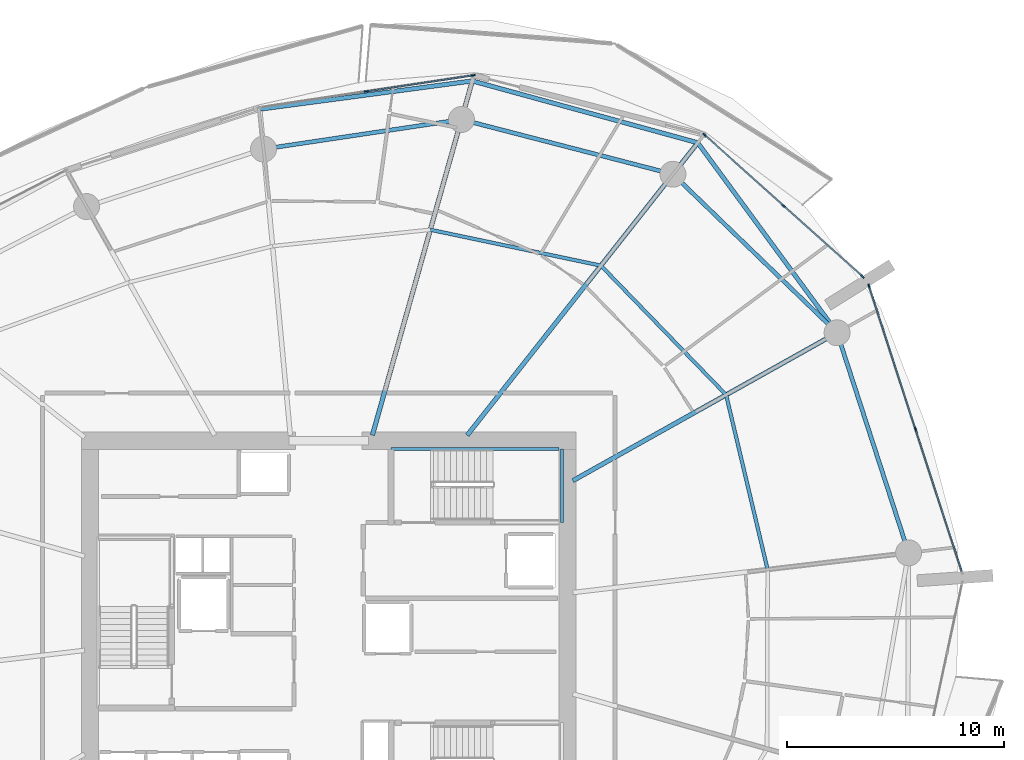
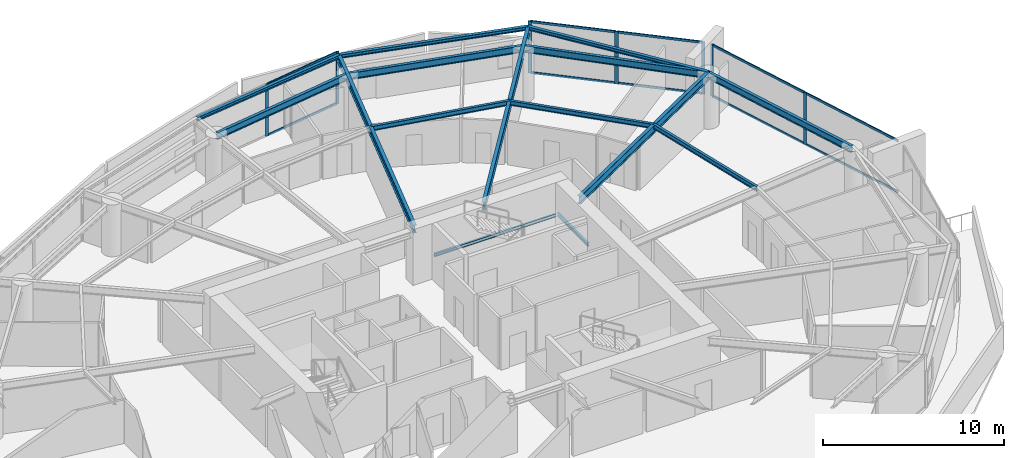
# One storey, part 9 of 22: 17 members, 15 beams, 3 elements without a shape of their own.
"""IFC4 building model written with IfcOpenShell, lengths in metres."""

import ifcopenshell
import ifcopenshell.guid

model = None  # the IFC model being written
_history = None  # IfcOwnerHistory: only IFC2X3 demands one
_inside = {}  # id of a spatial element -> (the spatial element, [elements in it])
_under = {}  # id of a project, library or spatial element -> (it, [spatial elements below it])
_declared = {}  # id of a project -> (the project, [libraries it declares])
_typed = {}  # id of a type object -> (the type object, [elements of that type])
_made_of = {}  # id of a material, layer set ... -> (it, [elements and type objects made of it])


def new_model(schema):
    """Start an empty IFC model of exactly this schema.

    Asked for "IFC4X3", IfcOpenShell would pick the latest addendum, in which some entities
    have other attributes; the version numbers below select the first issue.
    IFC2X3 requires an IfcOwnerHistory on every rooted entity: one is made here for all.
    """
    global model, _history
    if schema == "IFC4X3":
        model = ifcopenshell.file(schema_version=(4, 3, 0, 0))
    else:
        model = ifcopenshell.file(schema=schema)
    _inside.clear()
    _under.clear()
    _declared.clear()
    _typed.clear()
    _made_of.clear()
    _history = None
    if model.schema == "IFC2X3":
        org = make("IfcOrganization", Name="unknown")
        user = make(
            "IfcPersonAndOrganization",
            ThePerson=make("IfcPerson", FamilyName="unknown"),
            TheOrganization=org,
        )
        app = make(
            "IfcApplication",
            ApplicationDeveloper=org,
            Version="unknown",
            ApplicationFullName="unknown",
            ApplicationIdentifier="unknown",
        )
        _history = make(
            "IfcOwnerHistory",
            OwningUser=user,
            OwningApplication=app,
            ChangeAction="ADDED",
            CreationDate=0,
        )
    return model


def make(cls, **values):
    """One entity of the class cls with the attributes given. An attribute that is None is left unset."""
    return model.create_entity(
        cls, **{name: value for name, value in values.items() if value is not None}
    )


def rooted(cls, **values):
    """An entity with a GlobalId (a new one), such as an element, a storey or a relation."""
    return make(cls, GlobalId=ifcopenshell.guid.new(), OwnerHistory=_history, **values)


def si_unit(unit_type, name, prefix=None):
    """IfcSIUnit, for example si_unit("LENGTHUNIT", "METRE", prefix="MILLI")."""
    return make("IfcSIUnit", UnitType=unit_type, Prefix=prefix, Name=name)


def assignment(units):
    """IfcUnitAssignment: the units of a project."""
    return None if units is None else make("IfcUnitAssignment", Units=units)


def point(xyz):
    """IfcCartesianPoint."""
    return None if xyz is None else make("IfcCartesianPoint", Coordinates=xyz)


def direction(xyz):
    """IfcDirection."""
    return None if xyz is None else make("IfcDirection", DirectionRatios=xyz)


def frame(location, z_axis=None, x_axis=None):
    """IfcAxis2Placement3D, a coordinate frame: its origin and axes. An axis left out is left unset."""
    return make(
        "IfcAxis2Placement3D",
        Location=point(location),
        Axis=direction(z_axis),
        RefDirection=direction(x_axis),
    )


def frame_2d(location, x_axis=None):
    """IfcAxis2Placement2D, a coordinate frame in the plane: its origin and x axis."""
    return make(
        "IfcAxis2Placement2D", Location=point(location), RefDirection=direction(x_axis)
    )


def origin():
    """The frame at (0, 0, 0) with its axes left unset."""
    return frame((0.0, 0.0, 0.0))


def origin_2d():
    """The frame at (0, 0) in the plane with its x axis left unset."""
    return frame_2d((0.0, 0.0))


def place(relative_to, where):
    """IfcLocalPlacement: puts the frame where relative to a parent placement (None: the world)."""
    return make(
        "IfcLocalPlacement", PlacementRelTo=relative_to, RelativePlacement=where
    )


def context(
    kind, dimensions, precision=None, world=None, true_north=None, identifier=None
):
    """IfcGeometricRepresentationContext, for example the 3D "Model" context."""
    return make(
        "IfcGeometricRepresentationContext",
        ContextIdentifier=identifier,
        ContextType=kind,
        CoordinateSpaceDimension=dimensions,
        Precision=precision,
        WorldCoordinateSystem=world,
        TrueNorth=true_north,
    )


def subcontext(parent, identifier, kind, view, scale=None):
    """IfcGeometricRepresentationSubContext, for example "Body" below "Model"."""
    return make(
        "IfcGeometricRepresentationSubContext",
        ContextIdentifier=identifier,
        ContextType=kind,
        ParentContext=parent,
        TargetScale=scale,
        TargetView=view,
    )


def project(units=None, contexts=None):
    """IfcProject with its units and contexts."""
    return rooted(
        "IfcProject",
        Name="project",
        RepresentationContexts=contexts,
        UnitsInContext=assignment(units),
    )


def spatial(cls, under=None, at=None, **own):
    """A site, building, storey or space (cls), placed at a placement, below another one or the project."""
    s = rooted(cls, ObjectPlacement=at, **own)
    if under is not None:
        _under.setdefault(under.id(), (under, []))[1].append(s)
    return s


def profile(cls, at=None, kind="AREA", **sizes):
    """A parametric profile (cls). Its sizes go by their IFC names, for example OverallWidth=200.0."""
    return make(cls, ProfileType=kind, Position=at, **sizes)


def rectangle(**sizes):
    """IfcRectangleProfileDef."""
    return profile("IfcRectangleProfileDef", **sizes)


def i_section(**sizes):
    """IfcIShapeProfileDef."""
    return profile("IfcIShapeProfileDef", **sizes)


def extrude(swept, where, along, depth):
    """IfcExtrudedAreaSolid: the profile swept, set in the frame where, extruded along a direction by depth."""
    return make(
        "IfcExtrudedAreaSolid",
        SweptArea=swept,
        Position=where,
        ExtrudedDirection=direction(along),
        Depth=depth,
    )


def shape(context_of_items, identifier, shape_type, items):
    """IfcShapeRepresentation: the items that make up one representation, for example the "Body"."""
    return make(
        "IfcShapeRepresentation",
        ContextOfItems=context_of_items,
        RepresentationIdentifier=identifier,
        RepresentationType=shape_type,
        Items=items,
    )


def material(Name=None, Category=None):
    """IfcMaterial."""
    return make("IfcMaterial", Name=Name, Category=Category)


def layer(
    of_material, thickness, ventilated=None, Name=None, Category=None, Priority=None
):
    """IfcMaterialLayer: one layer of a wall or slab, of a material (None: an air gap)."""
    return make(
        "IfcMaterialLayer",
        Material=of_material,
        LayerThickness=thickness,
        IsVentilated=ventilated,
        Name=Name,
        Category=Category,
        Priority=Priority,
    )


def layer_set(layers, Name=None):
    """IfcMaterialLayerSet."""
    return make("IfcMaterialLayerSet", MaterialLayers=layers, LayerSetName=Name)


def material_profile(
    of_material, cross_section, Name=None, Category=None, Priority=None
):
    """IfcMaterialProfile: a cross section and its material."""
    return make(
        "IfcMaterialProfile",
        Name=Name,
        Material=of_material,
        Profile=cross_section,
        Priority=Priority,
        Category=Category,
    )


def profile_set(profiles, Name=None, composite=None):
    """IfcMaterialProfileSet."""
    return make(
        "IfcMaterialProfileSet",
        Name=Name,
        MaterialProfiles=profiles,
        CompositeProfile=composite,
    )


def made_of(thing, what):
    """Note that an element or type object is made of a material, layer set ...; save() writes the relation."""
    if what is not None:
        _made_of.setdefault(what.id(), (what, []))[1].append(thing)
    return thing


def type_object(cls, material=None, **own):
    """A type object (cls), such as IfcWallType, which elements share."""
    return made_of(rooted(cls, **own), material)


def element(
    cls,
    number,
    at=None,
    inside=None,
    cuts=None,
    type_object=None,
    material=None,
    context=None,
    identifier="Body",
    shape_type=None,
    held_by="IfcProductDefinitionShape",
    body=None,
    shapes=None,
    **own,
):
    """One element of the class cls, such as IfcWall. Its Tag is "e" and its number.

    at: its placement. inside: the storey or other place that contains it. cuts: it is an
    opening in that element (IfcRelVoidsElement). A single representation is given by context,
    identifier, shape_type and body (its items); several are given by shapes. held_by: the class
    of the entity that holds the representations. save() writes the other relations.
    """
    e = rooted(cls, Tag="e%d" % number, ObjectPlacement=at, **own)
    if body is not None:
        shapes = [shape(context, identifier, shape_type, body)]
    if shapes is not None:
        e.Representation = make(held_by, Representations=shapes)
    if inside is not None:
        _inside.setdefault(inside.id(), (inside, []))[1].append(e)
    if cuts is not None:
        rooted(
            "IfcRelVoidsElement", RelatingBuildingElement=cuts, RelatedOpeningElement=e
        )
    if type_object is not None:
        _typed.setdefault(type_object.id(), (type_object, []))[1].append(e)
    return made_of(e, material)


def aggregate(whole, parts):
    """IfcRelAggregates: a whole, such as a stair, and the parts it consists of."""
    return rooted("IfcRelAggregates", RelatingObject=whole, RelatedObjects=parts)


def save(model, path):
    """Write the relations noted so far, then the file.

    IfcRelAggregates (storeys below a building ...), IfcRelContainedInSpatialStructure (elements
    in a storey), IfcRelDefinesByType, IfcRelAssociatesMaterial and IfcRelDeclares: one each for
    every whole, place, type object, material and project.
    """
    for whole, parts in _under.values():
        aggregate(whole, parts)
    for where, things in _inside.values():
        rooted(
            "IfcRelContainedInSpatialStructure",
            RelatedElements=things,
            RelatingStructure=where,
        )
    for kind, things in _typed.values():
        rooted("IfcRelDefinesByType", RelatedObjects=things, RelatingType=kind)
    for what, things in _made_of.values():
        rooted("IfcRelAssociatesMaterial", RelatedObjects=things, RelatingMaterial=what)
    for by, libraries in _declared.values():
        rooted("IfcRelDeclares", RelatingContext=by, RelatedDefinitions=libraries)
    model.write(path)


model = new_model("IFC4")

# Units and contexts
model_context = context("Model", 3, precision=1e-05, world=origin(), true_north=direction((0.0, 1.0)))
body_context = subcontext(model_context, "Body", "Model", "MODEL_VIEW")
ifc_project = project(units=[si_unit("LENGTHUNIT", "METRE"), si_unit("AREAUNIT", "SQUARE_METRE"), si_unit("VOLUMEUNIT", "CUBIC_METRE"), si_unit("PLANEANGLEUNIT", "RADIAN"), si_unit("MASSUNIT", "GRAM", prefix="KILO")], contexts=[model_context])

# Site, building, storey
site_placement = place(None, origin())
site = spatial("IfcSite", under=ifc_project, at=site_placement, CompositionType="ELEMENT")
building_placement = place(site_placement, origin())
building = spatial("IfcBuilding", under=site, at=building_placement, Name="Kazma Halo Residences", CompositionType="ELEMENT")
storey_placement = place(building_placement, frame((0.0, 0.0, 93.89990234375)))
storey = spatial("IfcBuildingStorey", under=building, at=storey_placement, Name="L23", CompositionType="ELEMENT", Elevation=93.89990234375)

# Beams
ifc_material_1 = material(Name="Steel S355", Category="steel")
ifc_material_profile_1 = material_profile(ifc_material_1, i_section(OverallWidth=0.201904296875, OverallDepth=0.2470703125, WebThickness=0.00732421875, FlangeThickness=0.010986328125, FilletRadius=0.011962890625, at=origin_2d()), Name="W250x49.1")
ifc_profile_set_1 = profile_set([ifc_material_profile_1], Name="Steel S355")
beam_type_1 = type_object("IfcBeamType", Name="BM-BAL-CANT", PredefinedType="BEAM", material=ifc_profile_set_1)
beam_1_placement = place(storey_placement, frame((71.9033203125, 55.386474609375, 3.376708984375), z_axis=(-0.59144927253, 0.806342209005, 0.0), x_axis=(-0.806342209005, -0.59144927253, 0.0)))
element("IfcBeam", 1, at=beam_1_placement, inside=storey, type_object=beam_type_1, Name="L23 wave-balcony lead tie beam 01", PredefinedType="BEAM", context=body_context, shape_type="SweptSolid", body=[
    extrude(i_section(OverallWidth=0.201904296875, OverallDepth=0.2470703125, WebThickness=0.00732421875, FlangeThickness=0.010986328125, FilletRadius=0.011962890625, at=origin_2d()), origin(), (0.0, 0.0, 1.0), 10.87939453125),
])
beam_2_placement = place(storey_placement, frame((65.46875, 64.158935546875, 3.376708984375), z_axis=(-0.964396617, 0.264460139, 0.0), x_axis=(-0.264460139, -0.964396617, 0.0)))
element("IfcBeam", 2, at=beam_2_placement, inside=storey, type_object=beam_type_1, Name="L23 wave-balcony tie beam 02", PredefinedType="BEAM", context=body_context, shape_type="SweptSolid", body=[
    extrude(i_section(OverallWidth=0.201904296875, OverallDepth=0.2470703125, WebThickness=0.00732421875, FlangeThickness=0.010986328125, FilletRadius=0.011962890625, at=origin_2d()), origin(), (0.0, 0.0, 1.0), 10.79833984375),
])
beam_3_placement = place(storey_placement, frame((55.054931640625, 67.0146484375, 3.376708984375), z_axis=(-0.991294955884, -0.131659828494, 0.0), x_axis=(0.131659828494, -0.991294955884, 0.0)))
element("IfcBeam", 3, at=beam_3_placement, inside=storey, type_object=beam_type_1, Name="L23 wave-balcony tie beam 03", PredefinedType="BEAM", context=body_context, shape_type="SweptSolid", body=[
    extrude(i_section(OverallWidth=0.201904296875, OverallDepth=0.2470703125, WebThickness=0.00732421875, FlangeThickness=0.010986328125, FilletRadius=0.011962890625, at=origin_2d()), origin(), (0.0, 0.0, 1.0), 9.902099609375),
])
ifc_material_profile_2 = material_profile(ifc_material_1, i_section(OverallWidth=0.208984375, OverallDepth=0.532958984375, WebThickness=0.01025390625, FlangeThickness=0.015625, FilletRadius=0.01611328125, at=origin_2d()), Name="W530x92")
ifc_profile_set_2 = profile_set([ifc_material_profile_2], Name="Steel S355")
beam_type_2 = type_object("IfcBeamType", Name="BM-RAD-W530", PredefinedType="BEAM", material=ifc_profile_set_2)
beam_4_placement = place(storey_placement, frame((59.699951171875, 48.55224609375, 3.233642578125), z_axis=(0.87249559794, 0.488621972055, 0.0), x_axis=(-0.488621972055, 0.87249559794, 0.0)))
element("IfcBeam", 4, at=beam_4_placement, inside=storey, type_object=beam_type_2, Name="L23 radial floor beam 01", PredefinedType="BEAM", context=body_context, shape_type="SweptSolid", body=[
    extrude(i_section(OverallWidth=0.208984375, OverallDepth=0.532958984375, WebThickness=0.01025390625, FlangeThickness=0.015625, FilletRadius=0.01611328125, at=origin_2d()), origin(), (0.0, 0.0, 1.0), 13.98681640625),
])
beam_5_placement = place(storey_placement, frame((54.819091796875, 50.64990234375, 3.233642578125), z_axis=(0.619093774822, 0.785317068436, 0.0), x_axis=(-0.785317068436, 0.619093774822, 0.0)))
element("IfcBeam", 5, at=beam_5_placement, inside=storey, type_object=beam_type_2, Name="L23 radial floor beam 02", PredefinedType="BEAM", context=body_context, shape_type="SweptSolid", body=[
    extrude(i_section(OverallWidth=0.208984375, OverallDepth=0.532958984375, WebThickness=0.01025390625, FlangeThickness=0.015625, FilletRadius=0.01611328125, at=origin_2d()), origin(), (0.0, 0.0, 1.0), 17.201904296875),
])
beam_6_placement = place(storey_placement, frame((50.439697265625, 50.64990234375, 3.233642578125), z_axis=(0.271434928076, 0.962456793742, 0.0), x_axis=(-0.962456793742, 0.271434928076, 0.0)))
element("IfcBeam", 6, at=beam_6_placement, inside=storey, type_object=beam_type_2, Name="L23 radial floor beam 03", PredefinedType="BEAM", context=body_context, shape_type="SweptSolid", body=[
    extrude(i_section(OverallWidth=0.208984375, OverallDepth=0.532958984375, WebThickness=0.01025390625, FlangeThickness=0.015625, FilletRadius=0.01611328125, at=origin_2d()), origin(), (0.0, 0.0, 1.0), 17.003173828125),
])
ifc_material_profile_3 = material_profile(ifc_material_1, i_section(OverallWidth=0.1650390625, OverallDepth=0.31005859375, WebThickness=0.005859375, FlangeThickness=0.009765625, FilletRadius=0.011962890625, at=origin_2d()), Name="W310x38.7")
ifc_profile_set_3 = profile_set([ifc_material_profile_3], Name="Steel S355")
beam_type_3 = type_object("IfcBeamType", Name="BM-SEC-W310B", PredefinedType="JOIST", material=ifc_profile_set_3)
beam_7_placement = place(storey_placement, frame((66.77783203125, 52.51611328125, 3.34521484375), z_axis=(-0.695765378161, 0.718269126827, 0.0), x_axis=(-0.718269126827, -0.695765378161, 0.0)))
element("IfcBeam", 7, at=beam_7_placement, inside=storey, type_object=beam_type_3, Name="L23 circumferential floor joist 01", PredefinedType="JOIST", context=body_context, shape_type="SweptSolid", body=[
    extrude(i_section(OverallWidth=0.1650390625, OverallDepth=0.31005859375, WebThickness=0.005859375, FlangeThickness=0.009765625, FilletRadius=0.011962890625, at=origin_2d()), origin(), (0.0, 0.0, 1.0), 8.310302734375),
])
beam_8_placement = place(storey_placement, frame((60.995849609375, 58.485107421875, 3.34521484375), z_axis=(-0.978607976751, 0.205733876255, 0.0), x_axis=(-0.205733876255, -0.978607976751, 0.0)))
element("IfcBeam", 8, at=beam_8_placement, inside=storey, type_object=beam_type_3, Name="L23 circumferential floor joist 02", PredefinedType="JOIST", context=body_context, shape_type="SweptSolid", body=[
    extrude(i_section(OverallWidth=0.1650390625, OverallDepth=0.31005859375, WebThickness=0.005859375, FlangeThickness=0.009765625, FilletRadius=0.011962890625, at=origin_2d()), origin(), (0.0, 0.0, 1.0), 8.051513671875),
])
beam_9_placement = place(storey_placement, frame((68.69384765625, 44.44921875, 3.34521484375), z_axis=(-0.231087064161, 0.972933075179, 0.0), x_axis=(-0.972933075179, -0.231087064161, 0.0)))
element("IfcBeam", 9, at=beam_9_placement, inside=storey, type_object=beam_type_3, Name="L23 circumferential floor joist 16", PredefinedType="JOIST", context=body_context, shape_type="SweptSolid", body=[
    extrude(i_section(OverallWidth=0.1650390625, OverallDepth=0.31005859375, WebThickness=0.005859375, FlangeThickness=0.009765625, FilletRadius=0.011962890625, at=origin_2d()), origin(), (0.0, 0.0, 1.0), 8.291259765625),
])
ifc_material_profile_4 = material_profile(ifc_material_1, i_section(OverallWidth=0.18994140625, OverallDepth=0.45703125, WebThickness=0.009033203125, FlangeThickness=0.014404296875, FilletRadius=0.01611328125, at=origin_2d()), Name="W460x74")
ifc_profile_set_4 = profile_set([ifc_material_profile_4], Name="Steel S355")
beam_type_4 = type_object("IfcBeamType", Name="BM-SPN-W460", PredefinedType="BEAM", material=ifc_profile_set_4)
beam_10_placement = place(storey_placement, frame((71.9033203125, 55.386474609375, 3.271484375), z_axis=(-0.719336783114, 0.694661494873, 0.0), x_axis=(-0.694661494873, -0.719336783114, 0.0)))
element("IfcBeam", 10, at=beam_10_placement, inside=storey, type_object=beam_type_4, Name="L23 perimeter ring beam 01", PredefinedType="BEAM", context=body_context, shape_type="SweptSolid", body=[
    extrude(i_section(OverallWidth=0.18994140625, OverallDepth=0.45703125, WebThickness=0.009033203125, FlangeThickness=0.014404296875, FilletRadius=0.01611328125, at=origin_2d()), origin(), (0.0, 0.0, 1.0), 10.537353515625),
])
beam_11_placement = place(storey_placement, frame((64.323486328125, 62.706298828125, 3.271484375), z_axis=(-0.968124968683, 0.250467652626, 0.0), x_axis=(-0.250467652626, -0.968124968683, 0.0)))
element("IfcBeam", 11, at=beam_11_placement, inside=storey, type_object=beam_type_4, Name="L23 perimeter ring beam 02", PredefinedType="BEAM", context=body_context, shape_type="SweptSolid", body=[
    extrude(i_section(OverallWidth=0.18994140625, OverallDepth=0.45703125, WebThickness=0.009033203125, FlangeThickness=0.014404296875, FilletRadius=0.01611328125, at=origin_2d()), origin(), (0.0, 0.0, 1.0), 10.092529296875),
])
beam_12_placement = place(storey_placement, frame((54.552734375, 65.234130859375, 3.271484375), z_axis=(-0.989034176303, -0.147686824414, 0.0), x_axis=(0.147686824414, -0.989034176303, 0.0)))
element("IfcBeam", 12, at=beam_12_placement, inside=storey, type_object=beam_type_4, Name="L23 perimeter ring beam 03", PredefinedType="BEAM", context=body_context, shape_type="SweptSolid", body=[
    extrude(i_section(OverallWidth=0.18994140625, OverallDepth=0.45703125, WebThickness=0.009033203125, FlangeThickness=0.014404296875, FilletRadius=0.01611328125, at=origin_2d()), origin(), (0.0, 0.0, 1.0), 9.242431640625),
])
beam_13_placement = place(storey_placement, frame((75.20654296875, 45.22021484375, 3.271484375), z_axis=(-0.309017385422, 0.951056389236, 0.0), x_axis=(-0.951056389236, -0.309017385422, 0.0)))
element("IfcBeam", 13, at=beam_13_placement, inside=storey, type_object=beam_type_4, Name="L23 perimeter ring beam 16", PredefinedType="BEAM", context=body_context, shape_type="SweptSolid", body=[
    extrude(i_section(OverallWidth=0.18994140625, OverallDepth=0.45703125, WebThickness=0.009033203125, FlangeThickness=0.014404296875, FilletRadius=0.01611328125, at=origin_2d()), origin(), (0.0, 0.0, 1.0), 10.689453125),
])
ifc_material_profile_5 = material_profile(ifc_material_1, i_section(OverallWidth=0.133056640625, OverallDepth=0.20703125, WebThickness=0.005859375, FlangeThickness=0.00830078125, FilletRadius=0.010009765625, at=origin_2d()), Name="W200x26.6")
ifc_profile_set_5 = profile_set([ifc_material_profile_5], Name="Steel S355")
beam_type_5 = type_object("IfcBeamType", Name="BM-TRIM-W200", PredefinedType="BEAM", material=ifc_profile_set_5)
beam_14_placement = place(storey_placement, frame((51.31005859375, 50.02001953125, 1.570068359375), z_axis=(1.0, 0.0, 0.0), x_axis=(0.0, 1.0, 0.0)))
element("IfcBeam", 14, at=beam_14_placement, inside=storey, type_object=beam_type_5, Name="L23 ST-02 landing north wall ledger", PredefinedType="BEAM", context=body_context, shape_type="SweptSolid", body=[
    extrude(i_section(OverallWidth=0.133056640625, OverallDepth=0.20703125, WebThickness=0.005859375, FlangeThickness=0.00830078125, FilletRadius=0.010009765625, at=origin_2d()), origin(), (0.0, 0.0, 1.0), 7.760009765625),
])
beam_15_placement = place(storey_placement, frame((59.18994140625, 46.6201171875, 1.570068359375), z_axis=(0.0, 1.0, 0.0), x_axis=(-1.0, 0.0, 0.0)))
element("IfcBeam", 15, at=beam_15_placement, inside=storey, type_object=beam_type_5, Name="L23 ST-02 landing end wall ledger", PredefinedType="BEAM", context=body_context, shape_type="SweptSolid", body=[
    extrude(i_section(OverallWidth=0.133056640625, OverallDepth=0.20703125, WebThickness=0.005859375, FlangeThickness=0.00830078125, FilletRadius=0.010009765625, at=origin_2d()), origin(), (0.0, 0.0, 1.0), 3.39990234375),
])

# Curtain wall, members
ifc_material_2 = material(Name="Aluminium AW-6063 T6 and Triple-Silver Low-E Glass", Category="aluminium")
ifc_layer = layer(ifc_material_2, 0.199951171875)
ifc_layer_set = layer_set([ifc_layer], Name="Aluminium AW-6063 T6 and Triple-Silver Low-E Glass")
curtain_wall_type = type_object("IfcCurtainWallType", Name="CW-SYS-3", PredefinedType="NOTDEFINED", material=ifc_layer_set)
curtain_wall_1_placement = place(storey_placement, origin())
curtain_wall_1 = element("IfcCurtainWall", 16, at=curtain_wall_1_placement, inside=storey, type_object=curtain_wall_type, Name="L23 unitised curtain wall B01", PredefinedType="NOTDEFINED")
ifc_material_3 = material(Name="Aluminium AW-6063 T6", Category="aluminium")
ifc_material_profile_6 = material_profile(ifc_material_3, rectangle(XDim=0.070068359375, YDim=0.199951171875, at=origin_2d()), Name="CWM-70x200")
ifc_profile_set_6 = profile_set([ifc_material_profile_6], Name="Aluminium AW-6063 T6")
member_type_1 = type_object("IfcMemberType", Name="CW-SYS-3-MUL", PredefinedType="MULLION", material=ifc_profile_set_6)
member_1_placement = place(storey_placement, frame((73.071044921875, 57.981201171875, 0.0), z_axis=(0.0, 0.0, 1.0), x_axis=(-0.667794957375, -0.744345279359, 0.0)))
member_1 = element("IfcMember", 17, at=member_1_placement, type_object=member_type_1, Name="CWS-3 mullion 1", PredefinedType="MULLION", context=body_context, shape_type="SweptSolid", body=[
    extrude(rectangle(XDim=0.070068359375, YDim=0.199951171875, at=origin_2d()), origin(), (0.0, 0.0, 1.0), 3.5),
])
member_2_placement = place(storey_placement, frame((69.431396484375, 61.24658203125, 0.0), z_axis=(0.0, 0.0, 1.0), x_axis=(-0.667794957375, -0.744345279359, 0.0)))
member_2 = element("IfcMember", 18, at=member_2_placement, type_object=member_type_1, Name="CWS-3 mullion 2", PredefinedType="MULLION", context=body_context, shape_type="SweptSolid", body=[
    extrude(rectangle(XDim=0.070068359375, YDim=0.199951171875, at=origin_2d()), origin(), (0.0, 0.0, 1.0), 3.5),
])
member_3_placement = place(storey_placement, frame((65.791748046875, 64.51220703125, 0.0), z_axis=(0.0, 0.0, 1.0), x_axis=(-0.667794957375, -0.744345279359, 0.0)))
member_3 = element("IfcMember", 19, at=member_3_placement, type_object=member_type_1, Name="CWS-3 mullion 3", PredefinedType="MULLION", context=body_context, shape_type="SweptSolid", body=[
    extrude(rectangle(XDim=0.070068359375, YDim=0.199951171875, at=origin_2d()), origin(), (0.0, 0.0, 1.0), 3.5),
])

curtain_wall_2_placement = place(storey_placement, origin())
curtain_wall_2 = element("IfcCurtainWall", 20, at=curtain_wall_2_placement, inside=storey, type_object=curtain_wall_type, Name="L23 unitised curtain wall B03", PredefinedType="NOTDEFINED")
member_4_placement = place(storey_placement, frame((55.09423828125, 67.271728515625, 0.0), z_axis=(0.0, 0.0, 1.0), x_axis=(0.148717330409, -0.988879747814, 0.0)))
member_4 = element("IfcMember", 21, at=member_4_placement, type_object=member_type_1, Name="CWS-3 mullion 1", PredefinedType="MULLION", context=body_context, shape_type="SweptSolid", body=[
    extrude(rectangle(XDim=0.070068359375, YDim=0.199951171875, at=origin_2d()), origin(), (0.0, 0.0, 1.0), 3.5),
])
member_5_placement = place(storey_placement, frame((50.156982421875, 66.529296875, 0.0), z_axis=(0.0, 0.0, 1.0), x_axis=(0.148717330409, -0.988879747814, 0.0)))
member_5 = element("IfcMember", 22, at=member_5_placement, type_object=member_type_1, Name="CWS-3 mullion 2", PredefinedType="MULLION", context=body_context, shape_type="SweptSolid", body=[
    extrude(rectangle(XDim=0.070068359375, YDim=0.199951171875, at=origin_2d()), origin(), (0.0, 0.0, 1.0), 3.5),
])

curtain_wall_3_placement = place(storey_placement, origin())
curtain_wall_3 = element("IfcCurtainWall", 23, at=curtain_wall_3_placement, inside=storey, type_object=curtain_wall_type, Name="L23 unitised curtain wall B16", PredefinedType="NOTDEFINED")
member_6_placement = place(storey_placement, frame((75.52099609375, 50.942138671875, 0.0), z_axis=(0.0, 0.0, 1.0), x_axis=(-0.951057722508, -0.309013282008, 0.0)))
member_6 = element("IfcMember", 24, at=member_6_placement, type_object=member_type_1, Name="CWS-3 mullion 2", PredefinedType="MULLION", context=body_context, shape_type="SweptSolid", body=[
    extrude(rectangle(XDim=0.070068359375, YDim=0.199951171875, at=origin_2d()), origin(), (0.0, 0.0, 1.0), 3.5),
])
member_7_placement = place(storey_placement, frame((73.376708984375, 57.54150390625, 0.0), z_axis=(0.0, 0.0, 1.0), x_axis=(-0.951057722508, -0.309013282008, 0.0)))
member_7 = element("IfcMember", 25, at=member_7_placement, type_object=member_type_1, Name="CWS-3 mullion 3", PredefinedType="MULLION", context=body_context, shape_type="SweptSolid", body=[
    extrude(rectangle(XDim=0.070068359375, YDim=0.199951171875, at=origin_2d()), origin(), (0.0, 0.0, 1.0), 3.5),
])

# Member
ifc_material_profile_7 = material_profile(ifc_material_3, rectangle(XDim=0.070068359375, YDim=0.14990234375, at=origin_2d()), Name="CWT-70x150")
ifc_profile_set_7 = profile_set([ifc_material_profile_7], Name="Aluminium AW-6063 T6")
member_type_2 = type_object("IfcMemberType", Name="CW-SYS-3-TRN", PredefinedType="USERDEFINED", material=ifc_profile_set_7)
member_8_placement = place(storey_placement, frame((73.045166015625, 58.004638671875, 0.03515625), z_axis=(-0.744338471453, 0.667802545603, 0.0), x_axis=(-0.667802545603, -0.744338471453, 0.0)))
member_8 = element("IfcMember", 26, at=member_8_placement, type_object=member_type_2, Name="CWS-3 transom 1.1", ObjectType="TRANSOM", PredefinedType="USERDEFINED", context=body_context, shape_type="SweptSolid", body=[
    extrude(rectangle(XDim=0.070068359375, YDim=0.14990234375, at=origin_2d()), origin(), (0.0, 0.0, 1.0), 4.81982421875),
])

member_9_placement = place(storey_placement, frame((73.045166015625, 58.004638671875, 3.465087890625), z_axis=(-0.744338471453, 0.667802545603, 0.0), x_axis=(-0.667802545603, -0.744338471453, 0.0)))
member_9 = element("IfcMember", 27, at=member_9_placement, type_object=member_type_2, Name="CWS-3 transom 1.2", ObjectType="TRANSOM", PredefinedType="USERDEFINED", context=body_context, shape_type="SweptSolid", body=[
    extrude(rectangle(XDim=0.070068359375, YDim=0.14990234375, at=origin_2d()), origin(), (0.0, 0.0, 1.0), 4.81982421875),
])

member_10_placement = place(storey_placement, frame((69.4052734375, 61.27001953125, 0.03515625), z_axis=(-0.744338471453, 0.667802545603, 0.0), x_axis=(-0.667802545603, -0.744338471453, 0.0)))
member_10 = element("IfcMember", 28, at=member_10_placement, type_object=member_type_2, Name="CWS-3 transom 2.1", ObjectType="TRANSOM", PredefinedType="USERDEFINED", context=body_context, shape_type="SweptSolid", body=[
    extrude(rectangle(XDim=0.070068359375, YDim=0.14990234375, at=origin_2d()), origin(), (0.0, 0.0, 1.0), 4.81982421875),
])

member_11_placement = place(storey_placement, frame((69.4052734375, 61.27001953125, 3.465087890625), z_axis=(-0.744338471453, 0.667802545603, 0.0), x_axis=(-0.667802545603, -0.744338471453, 0.0)))
member_11 = element("IfcMember", 29, at=member_11_placement, type_object=member_type_2, Name="CWS-3 transom 2.2", ObjectType="TRANSOM", PredefinedType="USERDEFINED", context=body_context, shape_type="SweptSolid", body=[
    extrude(rectangle(XDim=0.070068359375, YDim=0.14990234375, at=origin_2d()), origin(), (0.0, 0.0, 1.0), 4.81982421875),
])

aggregate(curtain_wall_1, [member_1, member_2, member_3, member_8, member_9, member_10, member_11])

member_12_placement = place(storey_placement, frame((55.0595703125, 67.2666015625, 0.03515625), z_axis=(-0.988876977991, -0.148735746878, 0.0), x_axis=(0.148735746878, -0.988876977991, 0.0)))
member_12 = element("IfcMember", 30, at=member_12_placement, type_object=member_type_2, Name="CWS-3 transom 1.1", ObjectType="TRANSOM", PredefinedType="USERDEFINED", context=body_context, shape_type="SweptSolid", body=[
    extrude(rectangle(XDim=0.070068359375, YDim=0.14990234375, at=origin_2d()), origin(), (0.0, 0.0, 1.0), 4.922607421875),
])

member_13_placement = place(storey_placement, frame((55.0595703125, 67.2666015625, 3.465087890625), z_axis=(-0.988876977991, -0.148735746878, 0.0), x_axis=(0.148735746878, -0.988876977991, 0.0)))
member_13 = element("IfcMember", 31, at=member_13_placement, type_object=member_type_2, Name="CWS-3 transom 1.2", ObjectType="TRANSOM", PredefinedType="USERDEFINED", context=body_context, shape_type="SweptSolid", body=[
    extrude(rectangle(XDim=0.070068359375, YDim=0.14990234375, at=origin_2d()), origin(), (0.0, 0.0, 1.0), 4.922607421875),
])

aggregate(curtain_wall_2, [member_4, member_5, member_12, member_13])

member_14_placement = place(storey_placement, frame((77.654541015625, 44.3759765625, 0.03515625), z_axis=(-0.309000079699, 0.95106201204, 0.0), x_axis=(-0.95106201204, -0.309000079699, 0.0)))
member_14 = element("IfcMember", 32, at=member_14_placement, type_object=member_type_2, Name="CWS-3 transom 1.1", ObjectType="TRANSOM", PredefinedType="USERDEFINED", context=body_context, shape_type="SweptSolid", body=[
    extrude(rectangle(XDim=0.070068359375, YDim=0.14990234375, at=origin_2d()), origin(), (0.0, 0.0, 1.0), 6.869140625),
])

member_15_placement = place(storey_placement, frame((77.654541015625, 44.3759765625, 3.465087890625), z_axis=(-0.309000079699, 0.95106201204, 0.0), x_axis=(-0.95106201204, -0.309000079699, 0.0)))
member_15 = element("IfcMember", 33, at=member_15_placement, type_object=member_type_2, Name="CWS-3 transom 1.2", ObjectType="TRANSOM", PredefinedType="USERDEFINED", context=body_context, shape_type="SweptSolid", body=[
    extrude(rectangle(XDim=0.070068359375, YDim=0.14990234375, at=origin_2d()), origin(), (0.0, 0.0, 1.0), 6.869140625),
])

member_16_placement = place(storey_placement, frame((75.51025390625, 50.975341796875, 0.03515625), z_axis=(-0.309000079699, 0.95106201204, 0.0), x_axis=(-0.95106201204, -0.309000079699, 0.0)))
member_16 = element("IfcMember", 34, at=member_16_placement, type_object=member_type_2, Name="CWS-3 transom 2.1", ObjectType="TRANSOM", PredefinedType="USERDEFINED", context=body_context, shape_type="SweptSolid", body=[
    extrude(rectangle(XDim=0.070068359375, YDim=0.14990234375, at=origin_2d()), origin(), (0.0, 0.0, 1.0), 6.869140625),
])

member_17_placement = place(storey_placement, frame((75.51025390625, 50.975341796875, 3.465087890625), z_axis=(-0.309000079699, 0.95106201204, 0.0), x_axis=(-0.95106201204, -0.309000079699, 0.0)))
member_17 = element("IfcMember", 35, at=member_17_placement, type_object=member_type_2, Name="CWS-3 transom 2.2", ObjectType="TRANSOM", PredefinedType="USERDEFINED", context=body_context, shape_type="SweptSolid", body=[
    extrude(rectangle(XDim=0.070068359375, YDim=0.14990234375, at=origin_2d()), origin(), (0.0, 0.0, 1.0), 6.869140625),
])

aggregate(curtain_wall_3, [member_6, member_7, member_14, member_15, member_16, member_17])

save(model, "model.ifc")
